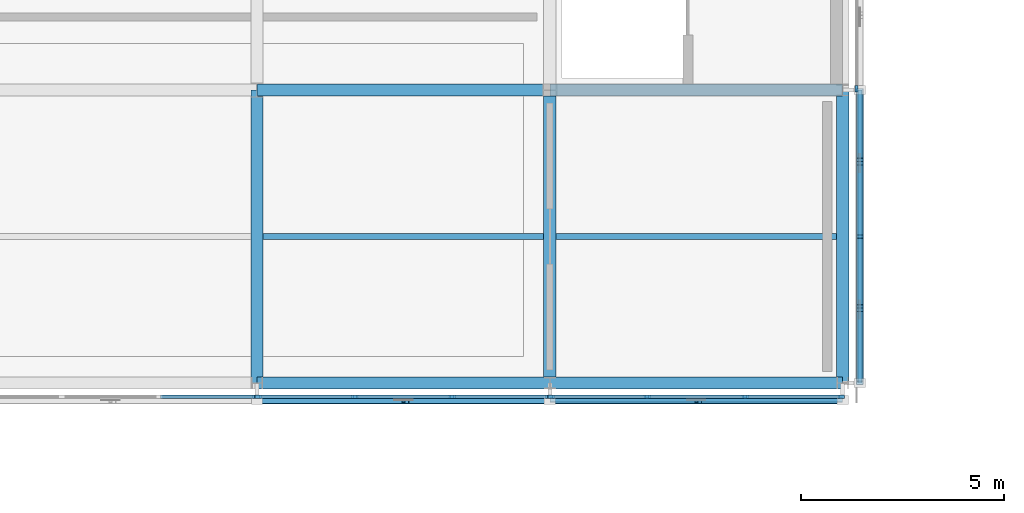
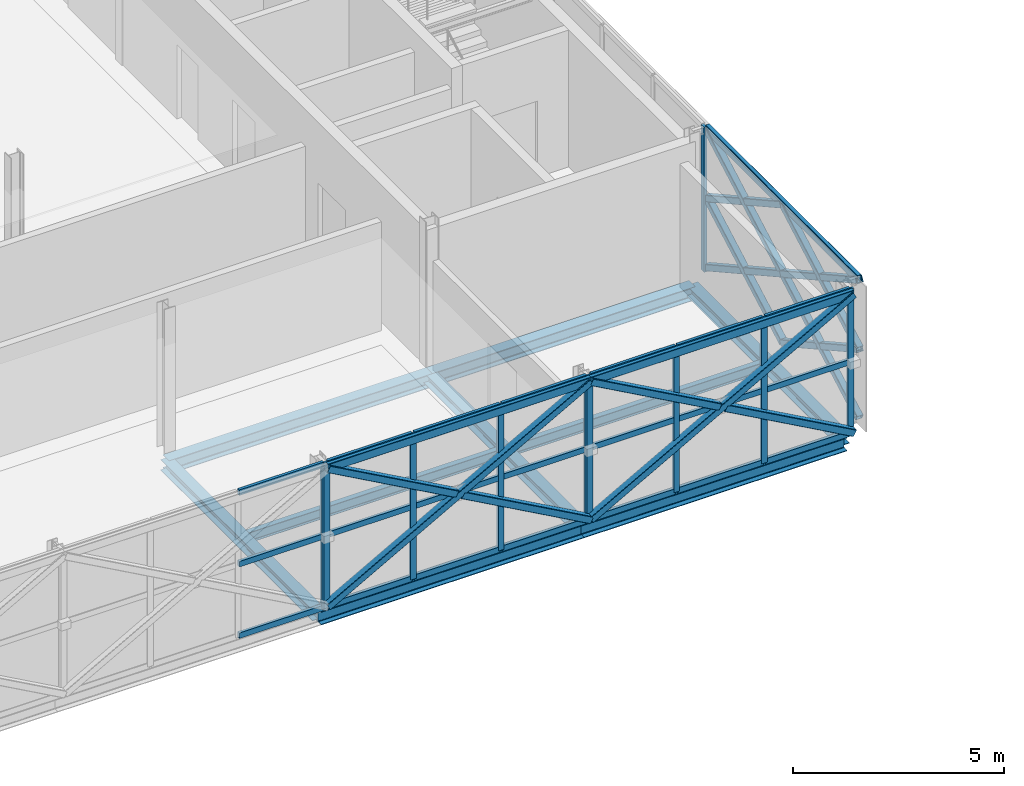
# One storey, part 54 of 103: 52 members, 9 beams, 4 elements without a shape of their own.
"""IFC4 building model written with IfcOpenShell, lengths in metres."""

from ifc_helpers import new_model, si_unit, direction, frame, origin, origin_2d, place, context, subcontext, project, spatial, rectangle, hollow_rectangle, i_section, extrude, material, material_profile, profile_set, type_object, element, aggregate, save


model = new_model("IFC4")

# Units and contexts
model_context = context("Model", 3, precision=1e-05, world=origin(), true_north=direction((0.0, 1.0)))
body_context = subcontext(model_context, "Body", "Model", "MODEL_VIEW")
ifc_project = project(units=[si_unit("LENGTHUNIT", "METRE"), si_unit("AREAUNIT", "SQUARE_METRE"), si_unit("VOLUMEUNIT", "CUBIC_METRE"), si_unit("PLANEANGLEUNIT", "RADIAN"), si_unit("MASSUNIT", "GRAM", prefix="KILO")], contexts=[model_context])

# Site, building, storey
site_placement = place(None, origin())
site = spatial("IfcSite", under=ifc_project, at=site_placement, CompositionType="ELEMENT")
building_placement = place(site_placement, origin())
building = spatial("IfcBuilding", under=site, at=building_placement, Name="Zlatovets Crest Museum", CompositionType="ELEMENT")
storey_placement = place(building_placement, frame((0.0, 0.0, 12.89990234375)))
storey = spatial("IfcBuildingStorey", under=building, at=storey_placement, Name="L03", CompositionType="ELEMENT", Elevation=12.89990234375)

# Beams
ifc_material_1 = material(Name="Structural steel S355J2", Category="steel")
ifc_material_profile_1 = material_profile(ifc_material_1, i_section(OverallWidth=0.300048828125, OverallDepth=0.389892578125, WebThickness=0.010986328125, FlangeThickness=0.01904296875, FilletRadius=0.027099609375, at=origin_2d()), Name="HEA 400")
ifc_profile_set_1 = profile_set([ifc_material_profile_1], Name="Structural steel S355J2")
beam_type_1 = type_object("IfcBeamType", Name="Beam_B-02", PredefinedType="BEAM", material=ifc_profile_set_1)
for number, where, z_axis, x_axis, name in (
    (1, (93.60009765625, 86.39990234375, -0.434814453125), (1.0, 0.0, 0.0), (0.0, 1.0, 0.0), "V1 L03 Primary Girder B-02"),
    (2, (100.800048828125, 86.39990234375, -0.434814453125), (1.0, 0.0, 0.0), (0.0, 1.0, 0.0), "V1 L03 Primary Girder B-02"),
    (3, (93.60009765625, 93.60009765625, -0.434814453125), (1.0, 0.0, 0.0), (0.0, 1.0, 0.0), "V1 L03 Primary Girder B-02"),
    (4, (100.800048828125, 93.60009765625, -0.434814453125), (1.0, 0.0, 0.0), (0.0, 1.0, 0.0), "V1 L03 Primary Girder B-02"),
):
    element("IfcBeam", number, at=place(storey_placement, frame(where, z_axis=z_axis, x_axis=x_axis)), inside=storey, type_object=beam_type_1, Name=name, PredefinedType="BEAM", context=body_context, shape_type="SweptSolid", body=[
        extrude(i_section(OverallWidth=0.300048828125, OverallDepth=0.389892578125, WebThickness=0.010986328125, FlangeThickness=0.01904296875, FilletRadius=0.027099609375, at=origin_2d()), origin(), (0.0, 0.0, 1.0), 7.199951171875),
    ])
ifc_material_profile_2 = material_profile(ifc_material_1, i_section(OverallWidth=0.300048828125, OverallDepth=0.31005859375, WebThickness=0.009033203125, FlangeThickness=0.015380859375, FilletRadius=0.027099609375, at=origin_2d()), Name="HEA 320")
ifc_profile_set_2 = profile_set([ifc_material_profile_2], Name="Structural steel S355J2")
beam_type_2 = type_object("IfcBeamType", Name="Beam_B-04", PredefinedType="BEAM", material=ifc_profile_set_2)
for number, where, z_axis, x_axis, name in (
    (5, (93.60009765625, 86.39990234375, -0.39501953125), (0.0, 1.0, 0.0), (-1.0, 0.0, 0.0), "V1 L03 Grid Beam B-04"),
    (6, (100.800048828125, 86.39990234375, -0.39501953125), (0.0, 1.0, 0.0), (-1.0, 0.0, 0.0), "V1 L03 Grid Beam B-04"),
    (7, (108.0, 86.39990234375, -0.39501953125), (0.0, 1.0, 0.0), (-1.0, 0.0, 0.0), "V1 L03 Grid Beam B-04"),
):
    element("IfcBeam", number, at=place(storey_placement, frame(where, z_axis=z_axis, x_axis=x_axis)), inside=storey, type_object=beam_type_2, Name=name, PredefinedType="BEAM", context=body_context, shape_type="SweptSolid", body=[
        extrude(i_section(OverallWidth=0.300048828125, OverallDepth=0.31005859375, WebThickness=0.009033203125, FlangeThickness=0.015380859375, FilletRadius=0.027099609375, at=origin_2d()), origin(), (0.0, 0.0, 1.0), 7.2001953125),
    ])
ifc_material_profile_3 = material_profile(ifc_material_1, i_section(OverallWidth=0.14990234375, OverallDepth=0.300048828125, WebThickness=0.007080078125, FlangeThickness=0.0107421875, FilletRadius=0.014892578125, at=origin_2d()), Name="IPE 300")
ifc_profile_set_3 = profile_set([ifc_material_profile_3], Name="Structural steel S355J2")
beam_type_3 = type_object("IfcBeamType", Name="Beam_J-02", PredefinedType="JOIST", material=ifc_profile_set_3)
beam_1_placement = place(storey_placement, frame((93.75, 90.0, -0.389892578125), z_axis=(1.0, 0.0, 0.0), x_axis=(0.0, 1.0, 0.0)))
element("IfcBeam", 8, at=beam_1_placement, inside=storey, type_object=beam_type_3, Name="V1 L03 Composite Joist J-02", PredefinedType="JOIST", context=body_context, shape_type="SweptSolid", body=[
    extrude(i_section(OverallWidth=0.14990234375, OverallDepth=0.300048828125, WebThickness=0.007080078125, FlangeThickness=0.0107421875, FilletRadius=0.014892578125, at=origin_2d()), origin(), (0.0, 0.0, 1.0), 6.89990234375),
])
beam_2_placement = place(storey_placement, frame((100.949951171875, 90.0, -0.389892578125), z_axis=(1.0, 0.0, 0.0), x_axis=(0.0, 1.0, 0.0)))
element("IfcBeam", 9, at=beam_2_placement, inside=storey, type_object=beam_type_3, Name="V1 L03 Composite Joist J-02", PredefinedType="JOIST", context=body_context, shape_type="SweptSolid", body=[
    extrude(i_section(OverallWidth=0.14990234375, OverallDepth=0.300048828125, WebThickness=0.007080078125, FlangeThickness=0.0107421875, FilletRadius=0.014892578125, at=origin_2d()), origin(), (0.0, 0.0, 1.0), 6.900146484375),
])

# Curtain wall, member
ifc_material_2 = material(Name="Bronze-anodised aluminium and low-E triple glass", Category="aluminium")
curtain_wall_type_1 = type_object("IfcCurtainWallType", Name="CW_CW-V1-L03-M0", PredefinedType="NOTDEFINED", material=ifc_material_2)
curtain_wall_1_placement = place(storey_placement, origin())
curtain_wall_1 = element("IfcCurtainWall", 10, at=curtain_wall_1_placement, inside=storey, type_object=curtain_wall_type_1, Name="V1 L03 Secession Foyer Clear Curtain Wall", PredefinedType="NOTDEFINED")
ifc_material_3 = material(Name="Bronze-anodised aluminium EN AW-6060", Category="aluminium")
ifc_material_profile_4 = material_profile(ifc_material_3, rectangle(XDim=0.080078125, YDim=0.159912109375, at=origin_2d()), Name="ALU 80x160")
ifc_profile_set_4 = profile_set([ifc_material_profile_4], Name="Bronze-anodised aluminium EN AW-6060")
member_type_1 = type_object("IfcMemberType", Name="CWMull_M1", PredefinedType="MULLION", material=ifc_profile_set_4)
member_1_placement = place(storey_placement, frame((93.570068359375, 86.06005859375, 0.0), z_axis=(0.0, 0.0, 1.0), x_axis=(0.0, 1.0, 0.0)))
member_1 = element("IfcMember", 11, at=member_1_placement, type_object=member_type_1, Name="CW-V1-L03-M0 mullion 4", PredefinedType="MULLION", context=body_context, shape_type="SweptSolid", body=[
    extrude(rectangle(XDim=0.080078125, YDim=0.159912109375, at=origin_2d()), origin(), (0.0, 0.0, 1.0), 4.2001953125),
])

# Curtain wall, members
curtain_wall_type_2 = type_object("IfcCurtainWallType", Name="CW_CW-V1-L03-M1", PredefinedType="NOTDEFINED", material=ifc_material_2)
curtain_wall_2_placement = place(storey_placement, origin())
curtain_wall_2 = element("IfcCurtainWall", 12, at=curtain_wall_2_placement, inside=storey, type_object=curtain_wall_type_2, Name="V1 L03 Secession Foyer Clear Curtain Wall", PredefinedType="NOTDEFINED")
member_2_placement = place(storey_placement, frame((93.6298828125, 86.06005859375, 0.0), z_axis=(0.0, 0.0, 1.0), x_axis=(0.0, 1.0, 0.0)))
member_2 = element("IfcMember", 13, at=member_2_placement, type_object=member_type_1, Name="CW-V1-L03-M1 mullion 1", PredefinedType="MULLION", context=body_context, shape_type="SweptSolid", body=[
    extrude(rectangle(XDim=0.080078125, YDim=0.159912109375, at=origin_2d()), origin(), (0.0, 0.0, 1.0), 4.2001953125),
])
member_3_placement = place(storey_placement, frame((96.0, 86.06005859375, 0.0), z_axis=(0.0, 0.0, 1.0), x_axis=(0.0, 1.0, 0.0)))
member_3 = element("IfcMember", 14, at=member_3_placement, type_object=member_type_1, Name="CW-V1-L03-M1 mullion 2", PredefinedType="MULLION", context=body_context, shape_type="SweptSolid", body=[
    extrude(rectangle(XDim=0.080078125, YDim=0.159912109375, at=origin_2d()), origin(), (0.0, 0.0, 1.0), 4.2001953125),
])
member_4_placement = place(storey_placement, frame((98.39990234375, 86.06005859375, 0.0), z_axis=(0.0, 0.0, 1.0), x_axis=(0.0, 1.0, 0.0)))
member_4 = element("IfcMember", 15, at=member_4_placement, type_object=member_type_1, Name="CW-V1-L03-M1 mullion 3", PredefinedType="MULLION", context=body_context, shape_type="SweptSolid", body=[
    extrude(rectangle(XDim=0.080078125, YDim=0.159912109375, at=origin_2d()), origin(), (0.0, 0.0, 1.0), 4.2001953125),
])
member_5_placement = place(storey_placement, frame((100.77001953125, 86.06005859375, 0.0), z_axis=(0.0, 0.0, 1.0), x_axis=(0.0, 1.0, 0.0)))
member_5 = element("IfcMember", 16, at=member_5_placement, type_object=member_type_1, Name="CW-V1-L03-M1 mullion 4", PredefinedType="MULLION", context=body_context, shape_type="SweptSolid", body=[
    extrude(rectangle(XDim=0.080078125, YDim=0.159912109375, at=origin_2d()), origin(), (0.0, 0.0, 1.0), 4.2001953125),
])

curtain_wall_type_3 = type_object("IfcCurtainWallType", Name="CW_CW-V1-L03-M2", PredefinedType="NOTDEFINED", material=ifc_material_2)
curtain_wall_3_placement = place(storey_placement, origin())
curtain_wall_3 = element("IfcCurtainWall", 17, at=curtain_wall_3_placement, inside=storey, type_object=curtain_wall_type_3, Name="V1 L03 Secession Foyer Clear Curtain Wall", PredefinedType="NOTDEFINED")
member_6_placement = place(storey_placement, frame((100.830078125, 86.06005859375, 0.0), z_axis=(0.0, 0.0, 1.0), x_axis=(0.0, 1.0, 0.0)))
member_6 = element("IfcMember", 18, at=member_6_placement, type_object=member_type_1, Name="CW-V1-L03-M2 mullion 1", PredefinedType="MULLION", context=body_context, shape_type="SweptSolid", body=[
    extrude(rectangle(XDim=0.080078125, YDim=0.159912109375, at=origin_2d()), origin(), (0.0, 0.0, 1.0), 4.2001953125),
])
member_7_placement = place(storey_placement, frame((103.199951171875, 86.06005859375, 0.0), z_axis=(0.0, 0.0, 1.0), x_axis=(0.0, 1.0, 0.0)))
member_7 = element("IfcMember", 19, at=member_7_placement, type_object=member_type_1, Name="CW-V1-L03-M2 mullion 2", PredefinedType="MULLION", context=body_context, shape_type="SweptSolid", body=[
    extrude(rectangle(XDim=0.080078125, YDim=0.159912109375, at=origin_2d()), origin(), (0.0, 0.0, 1.0), 4.2001953125),
])
member_8_placement = place(storey_placement, frame((105.60009765625, 86.06005859375, 0.0), z_axis=(0.0, 0.0, 1.0), x_axis=(0.0, 1.0, 0.0)))
member_8 = element("IfcMember", 20, at=member_8_placement, type_object=member_type_1, Name="CW-V1-L03-M2 mullion 3", PredefinedType="MULLION", context=body_context, shape_type="SweptSolid", body=[
    extrude(rectangle(XDim=0.080078125, YDim=0.159912109375, at=origin_2d()), origin(), (0.0, 0.0, 1.0), 4.2001953125),
])
member_9_placement = place(storey_placement, frame((107.969970703125, 86.06005859375, 0.0), z_axis=(0.0, 0.0, 1.0), x_axis=(0.0, 1.0, 0.0)))
member_9 = element("IfcMember", 21, at=member_9_placement, type_object=member_type_1, Name="CW-V1-L03-M2 mullion 4", PredefinedType="MULLION", context=body_context, shape_type="SweptSolid", body=[
    extrude(rectangle(XDim=0.080078125, YDim=0.159912109375, at=origin_2d()), origin(), (0.0, 0.0, 1.0), 4.2001953125),
])

# Curtain wall, member
curtain_wall_4_placement = place(storey_placement, origin())
curtain_wall_4 = element("IfcCurtainWall", 22, at=curtain_wall_4_placement, inside=storey, type_object=curtain_wall_type_1, Name="V1 L03 Expressed Core Glazed Facade", PredefinedType="NOTDEFINED")
member_10_placement = place(storey_placement, frame((108.340087890625, 93.6298828125, 0.0), z_axis=(0.0, 0.0, 1.0), x_axis=(-1.0, 0.0, 0.0)))
member_10 = element("IfcMember", 23, at=member_10_placement, type_object=member_type_1, Name="CW-V1-L03-M0 mullion 1", PredefinedType="MULLION", context=body_context, shape_type="SweptSolid", body=[
    extrude(rectangle(XDim=0.080078125, YDim=0.159912109375, at=origin_2d()), origin(), (0.0, 0.0, 1.0), 4.2001953125),
])
aggregate(curtain_wall_4, [member_10])

# Member
ifc_material_profile_5 = material_profile(ifc_material_3, rectangle(XDim=0.080078125, YDim=0.159912109375, at=origin_2d()), Name="ALU 80x160")
ifc_profile_set_5 = profile_set([ifc_material_profile_5], Name="Bronze-anodised aluminium EN AW-6060")
member_type_2 = type_object("IfcMemberType", Name="CWTrans_T1", PredefinedType="USERDEFINED", material=ifc_profile_set_5)
member_11_placement = place(storey_placement, frame((91.22998046875, 86.06005859375, 0.030029296875), z_axis=(1.0, 0.0, 0.0), x_axis=(0.0, 1.0, 0.0)))
member_11 = element("IfcMember", 24, at=member_11_placement, type_object=member_type_2, Name="CW-V1-L03-M0 transom 3.1", ObjectType="TRANSOM", PredefinedType="USERDEFINED", context=body_context, shape_type="SweptSolid", body=[
    extrude(rectangle(XDim=0.080078125, YDim=0.159912109375, at=origin_2d()), origin(), (0.0, 0.0, 1.0), 2.31005859375),
])

member_12_placement = place(storey_placement, frame((91.22998046875, 86.06005859375, 2.10009765625), z_axis=(1.0, 0.0, 0.0), x_axis=(0.0, 1.0, 0.0)))
member_12 = element("IfcMember", 25, at=member_12_placement, type_object=member_type_2, Name="CW-V1-L03-M0 transom 3.2", ObjectType="TRANSOM", PredefinedType="USERDEFINED", context=body_context, shape_type="SweptSolid", body=[
    extrude(rectangle(XDim=0.080078125, YDim=0.159912109375, at=origin_2d()), origin(), (0.0, 0.0, 1.0), 2.31005859375),
])

member_13_placement = place(storey_placement, frame((91.22998046875, 86.06005859375, 4.170166015625), z_axis=(1.0, 0.0, 0.0), x_axis=(0.0, 1.0, 0.0)))
member_13 = element("IfcMember", 26, at=member_13_placement, type_object=member_type_2, Name="CW-V1-L03-M0 transom 3.3", ObjectType="TRANSOM", PredefinedType="USERDEFINED", context=body_context, shape_type="SweptSolid", body=[
    extrude(rectangle(XDim=0.080078125, YDim=0.159912109375, at=origin_2d()), origin(), (0.0, 0.0, 1.0), 2.31005859375),
])

aggregate(curtain_wall_1, [member_1, member_11, member_12, member_13])

member_14_placement = place(storey_placement, frame((93.659912109375, 86.06005859375, 0.030029296875), z_axis=(1.0, 0.0, 0.0), x_axis=(0.0, 1.0, 0.0)))
member_14 = element("IfcMember", 27, at=member_14_placement, type_object=member_type_2, Name="CW-V1-L03-M1 transom 1.1", ObjectType="TRANSOM", PredefinedType="USERDEFINED", context=body_context, shape_type="SweptSolid", body=[
    extrude(rectangle(XDim=0.080078125, YDim=0.159912109375, at=origin_2d()), origin(), (0.0, 0.0, 1.0), 2.31005859375),
])

member_15_placement = place(storey_placement, frame((93.659912109375, 86.06005859375, 2.10009765625), z_axis=(1.0, 0.0, 0.0), x_axis=(0.0, 1.0, 0.0)))
member_15 = element("IfcMember", 28, at=member_15_placement, type_object=member_type_2, Name="CW-V1-L03-M1 transom 1.2", ObjectType="TRANSOM", PredefinedType="USERDEFINED", context=body_context, shape_type="SweptSolid", body=[
    extrude(rectangle(XDim=0.080078125, YDim=0.159912109375, at=origin_2d()), origin(), (0.0, 0.0, 1.0), 2.31005859375),
])

member_16_placement = place(storey_placement, frame((93.659912109375, 86.06005859375, 4.170166015625), z_axis=(1.0, 0.0, 0.0), x_axis=(0.0, 1.0, 0.0)))
member_16 = element("IfcMember", 29, at=member_16_placement, type_object=member_type_2, Name="CW-V1-L03-M1 transom 1.3", ObjectType="TRANSOM", PredefinedType="USERDEFINED", context=body_context, shape_type="SweptSolid", body=[
    extrude(rectangle(XDim=0.080078125, YDim=0.159912109375, at=origin_2d()), origin(), (0.0, 0.0, 1.0), 2.31005859375),
])

member_17_placement = place(storey_placement, frame((96.030029296875, 86.06005859375, 0.030029296875), z_axis=(1.0, 0.0, 0.0), x_axis=(0.0, 1.0, 0.0)))
member_17 = element("IfcMember", 30, at=member_17_placement, type_object=member_type_2, Name="CW-V1-L03-M1 transom 2.1", ObjectType="TRANSOM", PredefinedType="USERDEFINED", context=body_context, shape_type="SweptSolid", body=[
    extrude(rectangle(XDim=0.080078125, YDim=0.159912109375, at=origin_2d()), origin(), (0.0, 0.0, 1.0), 2.340087890625),
])

member_18_placement = place(storey_placement, frame((96.030029296875, 86.06005859375, 2.10009765625), z_axis=(1.0, 0.0, 0.0), x_axis=(0.0, 1.0, 0.0)))
member_18 = element("IfcMember", 31, at=member_18_placement, type_object=member_type_2, Name="CW-V1-L03-M1 transom 2.2", ObjectType="TRANSOM", PredefinedType="USERDEFINED", context=body_context, shape_type="SweptSolid", body=[
    extrude(rectangle(XDim=0.080078125, YDim=0.159912109375, at=origin_2d()), origin(), (0.0, 0.0, 1.0), 2.340087890625),
])

member_19_placement = place(storey_placement, frame((96.030029296875, 86.06005859375, 4.170166015625), z_axis=(1.0, 0.0, 0.0), x_axis=(0.0, 1.0, 0.0)))
member_19 = element("IfcMember", 32, at=member_19_placement, type_object=member_type_2, Name="CW-V1-L03-M1 transom 2.3", ObjectType="TRANSOM", PredefinedType="USERDEFINED", context=body_context, shape_type="SweptSolid", body=[
    extrude(rectangle(XDim=0.080078125, YDim=0.159912109375, at=origin_2d()), origin(), (0.0, 0.0, 1.0), 2.340087890625),
])

member_20_placement = place(storey_placement, frame((98.429931640625, 86.06005859375, 0.030029296875), z_axis=(1.0, 0.0, 0.0), x_axis=(0.0, 1.0, 0.0)))
member_20 = element("IfcMember", 33, at=member_20_placement, type_object=member_type_2, Name="CW-V1-L03-M1 transom 3.1", ObjectType="TRANSOM", PredefinedType="USERDEFINED", context=body_context, shape_type="SweptSolid", body=[
    extrude(rectangle(XDim=0.080078125, YDim=0.159912109375, at=origin_2d()), origin(), (0.0, 0.0, 1.0), 2.31005859375),
])

member_21_placement = place(storey_placement, frame((98.429931640625, 86.06005859375, 2.10009765625), z_axis=(1.0, 0.0, 0.0), x_axis=(0.0, 1.0, 0.0)))
member_21 = element("IfcMember", 34, at=member_21_placement, type_object=member_type_2, Name="CW-V1-L03-M1 transom 3.2", ObjectType="TRANSOM", PredefinedType="USERDEFINED", context=body_context, shape_type="SweptSolid", body=[
    extrude(rectangle(XDim=0.080078125, YDim=0.159912109375, at=origin_2d()), origin(), (0.0, 0.0, 1.0), 2.31005859375),
])

member_22_placement = place(storey_placement, frame((98.429931640625, 86.06005859375, 4.170166015625), z_axis=(1.0, 0.0, 0.0), x_axis=(0.0, 1.0, 0.0)))
member_22 = element("IfcMember", 35, at=member_22_placement, type_object=member_type_2, Name="CW-V1-L03-M1 transom 3.3", ObjectType="TRANSOM", PredefinedType="USERDEFINED", context=body_context, shape_type="SweptSolid", body=[
    extrude(rectangle(XDim=0.080078125, YDim=0.159912109375, at=origin_2d()), origin(), (0.0, 0.0, 1.0), 2.31005859375),
])

aggregate(curtain_wall_2, [member_2, member_3, member_4, member_5, member_14, member_15, member_16, member_17, member_18, member_19, member_20, member_21, member_22])

member_23_placement = place(storey_placement, frame((100.860107421875, 86.06005859375, 0.030029296875), z_axis=(1.0, 0.0, 0.0), x_axis=(0.0, 1.0, 0.0)))
member_23 = element("IfcMember", 36, at=member_23_placement, type_object=member_type_2, Name="CW-V1-L03-M2 transom 1.1", ObjectType="TRANSOM", PredefinedType="USERDEFINED", context=body_context, shape_type="SweptSolid", body=[
    extrude(rectangle(XDim=0.080078125, YDim=0.159912109375, at=origin_2d()), origin(), (0.0, 0.0, 1.0), 2.309814453125),
])

member_24_placement = place(storey_placement, frame((100.860107421875, 86.06005859375, 2.10009765625), z_axis=(1.0, 0.0, 0.0), x_axis=(0.0, 1.0, 0.0)))
member_24 = element("IfcMember", 37, at=member_24_placement, type_object=member_type_2, Name="CW-V1-L03-M2 transom 1.2", ObjectType="TRANSOM", PredefinedType="USERDEFINED", context=body_context, shape_type="SweptSolid", body=[
    extrude(rectangle(XDim=0.080078125, YDim=0.159912109375, at=origin_2d()), origin(), (0.0, 0.0, 1.0), 2.309814453125),
])

member_25_placement = place(storey_placement, frame((100.860107421875, 86.06005859375, 4.170166015625), z_axis=(1.0, 0.0, 0.0), x_axis=(0.0, 1.0, 0.0)))
member_25 = element("IfcMember", 38, at=member_25_placement, type_object=member_type_2, Name="CW-V1-L03-M2 transom 1.3", ObjectType="TRANSOM", PredefinedType="USERDEFINED", context=body_context, shape_type="SweptSolid", body=[
    extrude(rectangle(XDim=0.080078125, YDim=0.159912109375, at=origin_2d()), origin(), (0.0, 0.0, 1.0), 2.309814453125),
])

member_26_placement = place(storey_placement, frame((103.22998046875, 86.06005859375, 0.030029296875), z_axis=(1.0, 0.0, 0.0), x_axis=(0.0, 1.0, 0.0)))
member_26 = element("IfcMember", 39, at=member_26_placement, type_object=member_type_2, Name="CW-V1-L03-M2 transom 2.1", ObjectType="TRANSOM", PredefinedType="USERDEFINED", context=body_context, shape_type="SweptSolid", body=[
    extrude(rectangle(XDim=0.080078125, YDim=0.159912109375, at=origin_2d()), origin(), (0.0, 0.0, 1.0), 2.340087890625),
])

member_27_placement = place(storey_placement, frame((103.22998046875, 86.06005859375, 2.10009765625), z_axis=(1.0, 0.0, 0.0), x_axis=(0.0, 1.0, 0.0)))
member_27 = element("IfcMember", 40, at=member_27_placement, type_object=member_type_2, Name="CW-V1-L03-M2 transom 2.2", ObjectType="TRANSOM", PredefinedType="USERDEFINED", context=body_context, shape_type="SweptSolid", body=[
    extrude(rectangle(XDim=0.080078125, YDim=0.159912109375, at=origin_2d()), origin(), (0.0, 0.0, 1.0), 2.340087890625),
])

member_28_placement = place(storey_placement, frame((103.22998046875, 86.06005859375, 4.170166015625), z_axis=(1.0, 0.0, 0.0), x_axis=(0.0, 1.0, 0.0)))
member_28 = element("IfcMember", 41, at=member_28_placement, type_object=member_type_2, Name="CW-V1-L03-M2 transom 2.3", ObjectType="TRANSOM", PredefinedType="USERDEFINED", context=body_context, shape_type="SweptSolid", body=[
    extrude(rectangle(XDim=0.080078125, YDim=0.159912109375, at=origin_2d()), origin(), (0.0, 0.0, 1.0), 2.340087890625),
])

member_29_placement = place(storey_placement, frame((105.6298828125, 86.06005859375, 0.030029296875), z_axis=(1.0, 0.0, 0.0), x_axis=(0.0, 1.0, 0.0)))
member_29 = element("IfcMember", 42, at=member_29_placement, type_object=member_type_2, Name="CW-V1-L03-M2 transom 3.1", ObjectType="TRANSOM", PredefinedType="USERDEFINED", context=body_context, shape_type="SweptSolid", body=[
    extrude(rectangle(XDim=0.080078125, YDim=0.159912109375, at=origin_2d()), origin(), (0.0, 0.0, 1.0), 2.31005859375),
])

member_30_placement = place(storey_placement, frame((105.6298828125, 86.06005859375, 2.10009765625), z_axis=(1.0, 0.0, 0.0), x_axis=(0.0, 1.0, 0.0)))
member_30 = element("IfcMember", 43, at=member_30_placement, type_object=member_type_2, Name="CW-V1-L03-M2 transom 3.2", ObjectType="TRANSOM", PredefinedType="USERDEFINED", context=body_context, shape_type="SweptSolid", body=[
    extrude(rectangle(XDim=0.080078125, YDim=0.159912109375, at=origin_2d()), origin(), (0.0, 0.0, 1.0), 2.31005859375),
])

member_31_placement = place(storey_placement, frame((105.6298828125, 86.06005859375, 4.170166015625), z_axis=(1.0, 0.0, 0.0), x_axis=(0.0, 1.0, 0.0)))
member_31 = element("IfcMember", 44, at=member_31_placement, type_object=member_type_2, Name="CW-V1-L03-M2 transom 3.3", ObjectType="TRANSOM", PredefinedType="USERDEFINED", context=body_context, shape_type="SweptSolid", body=[
    extrude(rectangle(XDim=0.080078125, YDim=0.159912109375, at=origin_2d()), origin(), (0.0, 0.0, 1.0), 2.31005859375),
])

aggregate(curtain_wall_3, [member_6, member_7, member_8, member_9, member_23, member_24, member_25, member_26, member_27, member_28, member_29, member_30, member_31])

# Members
ifc_material_4 = material(Name="Weathering bronze-steel S355J2W", Category="steel")
ifc_material_profile_6 = material_profile(ifc_material_4, hollow_rectangle(XDim=0.179931640625, YDim=0.179931640625, WallThickness=0.010009765625, InnerFilletRadius=0.010009765625, OuterFilletRadius=0.02001953125, at=origin_2d()), Name="SHS 180x180x10.0")
ifc_profile_set_6 = profile_set([ifc_material_profile_6], Name="Weathering bronze-steel S355J2W")
member_type_3 = type_object("IfcMemberType", Name="Lattice_XL-01", PredefinedType="BRACE", material=ifc_profile_set_6)
member_32_placement = place(storey_placement, frame((108.419921875, 86.39990234375, 0.10009765625), z_axis=(0.0, 0.874162868644, 0.485632864501), x_axis=(-1.0, 0.0, 0.0)))
element("IfcMember", 45, at=member_32_placement, inside=storey, type_object=member_type_3, Name="Continuous Bronze Lattice Diagonal", PredefinedType="BRACE", context=body_context, shape_type="SweptSolid", body=[
    extrude(hollow_rectangle(XDim=0.179931640625, YDim=0.179931640625, WallThickness=0.010009765625, InnerFilletRadius=0.010009765625, OuterFilletRadius=0.02001953125, at=origin_2d()), origin(), (0.0, 0.0, 1.0), 4.118408203125),
])
for number, where, z_axis, x_axis, name in (
    (46, (108.419921875, 86.39990234375, 2.10009765625), (0.0, 0.874169001841, -0.485621824284), (-1.0, 0.0, 0.0), "Split Crossing Bronze Lattice Diagonal Upper"),
    (47, (108.419921875, 88.282958984375, 1.053955078125), (0.0, 0.874169001841, -0.485621824284), (-1.0, 0.0, 0.0), "Split Crossing Bronze Lattice Diagonal Lower"),
):
    element("IfcMember", number, at=place(storey_placement, frame(where, z_axis=z_axis, x_axis=x_axis)), inside=storey, type_object=member_type_3, Name=name, PredefinedType="BRACE", context=body_context, shape_type="SweptSolid", body=[
        extrude(hollow_rectangle(XDim=0.179931640625, YDim=0.179931640625, WallThickness=0.010009765625, InnerFilletRadius=0.010009765625, OuterFilletRadius=0.02001953125, at=origin_2d()), origin(), (0.0, 0.0, 1.0), 1.964111328125),
    ])
member_33_placement = place(storey_placement, frame((108.419921875, 90.0, 0.10009765625), z_axis=(0.0, 0.874162868644, 0.485632864501), x_axis=(-1.0, 0.0, 0.0)))
element("IfcMember", 48, at=member_33_placement, inside=storey, type_object=member_type_3, Name="Continuous Bronze Lattice Diagonal", PredefinedType="BRACE", context=body_context, shape_type="SweptSolid", body=[
    extrude(hollow_rectangle(XDim=0.179931640625, YDim=0.179931640625, WallThickness=0.010009765625, InnerFilletRadius=0.010009765625, OuterFilletRadius=0.02001953125, at=origin_2d()), origin(), (0.0, 0.0, 1.0), 4.118408203125),
])
for number, where, z_axis, x_axis, name in (
    (49, (108.419921875, 90.0, 2.10009765625), (0.0, 0.874169001841, -0.485621824284), (-1.0, 0.0, 0.0), "Split Crossing Bronze Lattice Diagonal Upper"),
    (50, (108.419921875, 91.883056640625, 1.053955078125), (0.0, 0.874169001841, -0.485621824284), (-1.0, 0.0, 0.0), "Split Crossing Bronze Lattice Diagonal Lower"),
):
    element("IfcMember", number, at=place(storey_placement, frame(where, z_axis=z_axis, x_axis=x_axis)), inside=storey, type_object=member_type_3, Name=name, PredefinedType="BRACE", context=body_context, shape_type="SweptSolid", body=[
        extrude(hollow_rectangle(XDim=0.179931640625, YDim=0.179931640625, WallThickness=0.010009765625, InnerFilletRadius=0.010009765625, OuterFilletRadius=0.02001953125, at=origin_2d()), origin(), (0.0, 0.0, 1.0), 1.964111328125),
    ])
member_34_placement = place(storey_placement, frame((108.419921875, 86.39990234375, 2.10009765625), z_axis=(0.0, 0.874162868644, 0.485632864501), x_axis=(-1.0, 0.0, 0.0)))
element("IfcMember", 51, at=member_34_placement, inside=storey, type_object=member_type_3, Name="Continuous Bronze Lattice Diagonal", PredefinedType="BRACE", context=body_context, shape_type="SweptSolid", body=[
    extrude(hollow_rectangle(XDim=0.179931640625, YDim=0.179931640625, WallThickness=0.010009765625, InnerFilletRadius=0.010009765625, OuterFilletRadius=0.02001953125, at=origin_2d()), origin(), (0.0, 0.0, 1.0), 4.118408203125),
])
for number, where, z_axis, x_axis, name in (
    (52, (108.419921875, 86.39990234375, 4.10009765625), (0.0, 0.874169001841, -0.485621824284), (-1.0, 0.0, 0.0), "Split Crossing Bronze Lattice Diagonal Upper"),
    (53, (108.419921875, 88.282958984375, 3.053955078125), (0.0, 0.874169001841, -0.485621824284), (-1.0, 0.0, 0.0), "Split Crossing Bronze Lattice Diagonal Lower"),
):
    element("IfcMember", number, at=place(storey_placement, frame(where, z_axis=z_axis, x_axis=x_axis)), inside=storey, type_object=member_type_3, Name=name, PredefinedType="BRACE", context=body_context, shape_type="SweptSolid", body=[
        extrude(hollow_rectangle(XDim=0.179931640625, YDim=0.179931640625, WallThickness=0.010009765625, InnerFilletRadius=0.010009765625, OuterFilletRadius=0.02001953125, at=origin_2d()), origin(), (0.0, 0.0, 1.0), 1.964111328125),
    ])
member_35_placement = place(storey_placement, frame((108.419921875, 90.0, 2.10009765625), z_axis=(0.0, 0.874162868644, 0.485632864501), x_axis=(-1.0, 0.0, 0.0)))
element("IfcMember", 54, at=member_35_placement, inside=storey, type_object=member_type_3, Name="Continuous Bronze Lattice Diagonal", PredefinedType="BRACE", context=body_context, shape_type="SweptSolid", body=[
    extrude(hollow_rectangle(XDim=0.179931640625, YDim=0.179931640625, WallThickness=0.010009765625, InnerFilletRadius=0.010009765625, OuterFilletRadius=0.02001953125, at=origin_2d()), origin(), (0.0, 0.0, 1.0), 4.118408203125),
])
for number, where, z_axis, x_axis, name in (
    (55, (108.419921875, 90.0, 4.10009765625), (0.0, 0.874169001841, -0.485621824284), (-1.0, 0.0, 0.0), "Split Crossing Bronze Lattice Diagonal Upper"),
    (56, (108.419921875, 91.883056640625, 3.053955078125), (0.0, 0.874169001841, -0.485621824284), (-1.0, 0.0, 0.0), "Split Crossing Bronze Lattice Diagonal Lower"),
):
    element("IfcMember", number, at=place(storey_placement, frame(where, z_axis=z_axis, x_axis=x_axis)), inside=storey, type_object=member_type_3, Name=name, PredefinedType="BRACE", context=body_context, shape_type="SweptSolid", body=[
        extrude(hollow_rectangle(XDim=0.179931640625, YDim=0.179931640625, WallThickness=0.010009765625, InnerFilletRadius=0.010009765625, OuterFilletRadius=0.02001953125, at=origin_2d()), origin(), (0.0, 0.0, 1.0), 1.964111328125),
    ])
ifc_material_profile_7 = material_profile(ifc_material_4, hollow_rectangle(XDim=0.199951171875, YDim=0.199951171875, WallThickness=0.012451171875, InnerFilletRadius=0.012451171875, OuterFilletRadius=0.02490234375, at=origin_2d()), Name="SHS 200x200x12.5")
ifc_profile_set_7 = profile_set([ifc_material_profile_7], Name="Weathering bronze-steel S355J2W")
member_type_4 = type_object("IfcMemberType", Name="Lattice_XL-02", PredefinedType="BRACE", material=ifc_profile_set_7)
member_36_placement = place(storey_placement, frame((93.60009765625, 85.97998046875, 0.10009765625), z_axis=(0.874155877937, 0.0, 0.485645447903), x_axis=(0.0, 1.0, 0.0)))
element("IfcMember", 57, at=member_36_placement, inside=storey, type_object=member_type_4, Name="Continuous Bronze Lattice Diagonal", PredefinedType="BRACE", context=body_context, shape_type="SweptSolid", body=[
    extrude(hollow_rectangle(XDim=0.199951171875, YDim=0.199951171875, WallThickness=0.012451171875, InnerFilletRadius=0.012451171875, OuterFilletRadius=0.02490234375, at=origin_2d()), origin(), (0.0, 0.0, 1.0), 8.236572265625),
])
member_37_placement = place(storey_placement, frame((93.60009765625, 85.97998046875, 4.10009765625), z_axis=(0.874151551165, 0.0, -0.485653235958), x_axis=(0.0, 1.0, 0.0)))
element("IfcMember", 58, at=member_37_placement, inside=storey, type_object=member_type_4, Name="Split Crossing Bronze Lattice Diagonal Upper", PredefinedType="BRACE", context=body_context, shape_type="SweptSolid", body=[
    extrude(hollow_rectangle(XDim=0.199951171875, YDim=0.199951171875, WallThickness=0.012451171875, InnerFilletRadius=0.012451171875, OuterFilletRadius=0.02490234375, at=origin_2d()), origin(), (0.0, 0.0, 1.0), 4.023193359375),
])
member_38_placement = place(storey_placement, frame((97.282958984375, 85.97998046875, 2.053955078125), z_axis=(0.874165862873, 0.0, -0.485627474703), x_axis=(0.0, 1.0, 0.0)))
element("IfcMember", 59, at=member_38_placement, inside=storey, type_object=member_type_4, Name="Split Crossing Bronze Lattice Diagonal Lower", PredefinedType="BRACE", context=body_context, shape_type="SweptSolid", body=[
    extrude(hollow_rectangle(XDim=0.199951171875, YDim=0.199951171875, WallThickness=0.012451171875, InnerFilletRadius=0.012451171875, OuterFilletRadius=0.02490234375, at=origin_2d()), origin(), (0.0, 0.0, 1.0), 4.0234375),
])
member_39_placement = place(storey_placement, frame((100.800048828125, 85.97998046875, 0.10009765625), z_axis=(0.874155877937, 0.0, 0.485645447903), x_axis=(0.0, 1.0, 0.0)))
element("IfcMember", 60, at=member_39_placement, inside=storey, type_object=member_type_4, Name="Continuous Bronze Lattice Diagonal", PredefinedType="BRACE", context=body_context, shape_type="SweptSolid", body=[
    extrude(hollow_rectangle(XDim=0.199951171875, YDim=0.199951171875, WallThickness=0.012451171875, InnerFilletRadius=0.012451171875, OuterFilletRadius=0.02490234375, at=origin_2d()), origin(), (0.0, 0.0, 1.0), 8.236572265625),
])
member_40_placement = place(storey_placement, frame((100.800048828125, 85.97998046875, 4.10009765625), z_axis=(0.874151551165, 0.0, -0.485653235958), x_axis=(0.0, 1.0, 0.0)))
element("IfcMember", 61, at=member_40_placement, inside=storey, type_object=member_type_4, Name="Split Crossing Bronze Lattice Diagonal Upper", PredefinedType="BRACE", context=body_context, shape_type="SweptSolid", body=[
    extrude(hollow_rectangle(XDim=0.199951171875, YDim=0.199951171875, WallThickness=0.012451171875, InnerFilletRadius=0.012451171875, OuterFilletRadius=0.02490234375, at=origin_2d()), origin(), (0.0, 0.0, 1.0), 4.023193359375),
])
member_41_placement = place(storey_placement, frame((104.48291015625, 85.97998046875, 2.053955078125), z_axis=(0.874165862873, 0.0, -0.485627474703), x_axis=(0.0, 1.0, 0.0)))
element("IfcMember", 62, at=member_41_placement, inside=storey, type_object=member_type_4, Name="Split Crossing Bronze Lattice Diagonal Lower", PredefinedType="BRACE", context=body_context, shape_type="SweptSolid", body=[
    extrude(hollow_rectangle(XDim=0.199951171875, YDim=0.199951171875, WallThickness=0.012451171875, InnerFilletRadius=0.012451171875, OuterFilletRadius=0.02490234375, at=origin_2d()), origin(), (0.0, 0.0, 1.0), 4.0234375),
])
ifc_material_profile_8 = material_profile(ifc_material_4, hollow_rectangle(XDim=0.1201171875, YDim=0.239990234375, WallThickness=0.010009765625, InnerFilletRadius=0.010009765625, OuterFilletRadius=0.02001953125, at=origin_2d()), Name="RHS 120x240x10.0")
ifc_profile_set_8 = profile_set([ifc_material_profile_8], Name="Weathering bronze-steel S355J2W")
member_type_5 = type_object("IfcMemberType", Name="Lattice_XL-04", PredefinedType="CHORD", material=ifc_profile_set_8)
for number, where, z_axis, x_axis, name in (
    (63, (93.60009765625, 85.97998046875, 4.10009765625), (1.0, 0.0, 0.0), (0.0, 1.0, 0.0), "Art Nouveau Woven Cage Collector Ring Chord"),
    (64, (100.800048828125, 85.97998046875, 4.10009765625), (1.0, 0.0, 0.0), (0.0, 1.0, 0.0), "Art Nouveau Woven Cage Collector Ring Chord"),
):
    element("IfcMember", number, at=place(storey_placement, frame(where, z_axis=z_axis, x_axis=x_axis)), inside=storey, type_object=member_type_5, Name=name, PredefinedType="CHORD", context=body_context, shape_type="SweptSolid", body=[
        extrude(hollow_rectangle(XDim=0.1201171875, YDim=0.239990234375, WallThickness=0.010009765625, InnerFilletRadius=0.010009765625, OuterFilletRadius=0.02001953125, at=origin_2d()), origin(), (0.0, 0.0, 1.0), 7.199951171875),
    ])
member_42_placement = place(storey_placement, frame((108.419921875, 86.39990234375, 4.10009765625), z_axis=(0.0, 1.0, 0.0), x_axis=(-1.0, 0.0, 0.0)))
element("IfcMember", 65, at=member_42_placement, inside=storey, type_object=member_type_5, Name="Art Nouveau Woven Cage Collector Ring Chord", PredefinedType="CHORD", context=body_context, shape_type="SweptSolid", body=[
    extrude(hollow_rectangle(XDim=0.1201171875, YDim=0.239990234375, WallThickness=0.010009765625, InnerFilletRadius=0.010009765625, OuterFilletRadius=0.02001953125, at=origin_2d()), origin(), (0.0, 0.0, 1.0), 7.2001953125),
])

save(model, "model.ifc")
